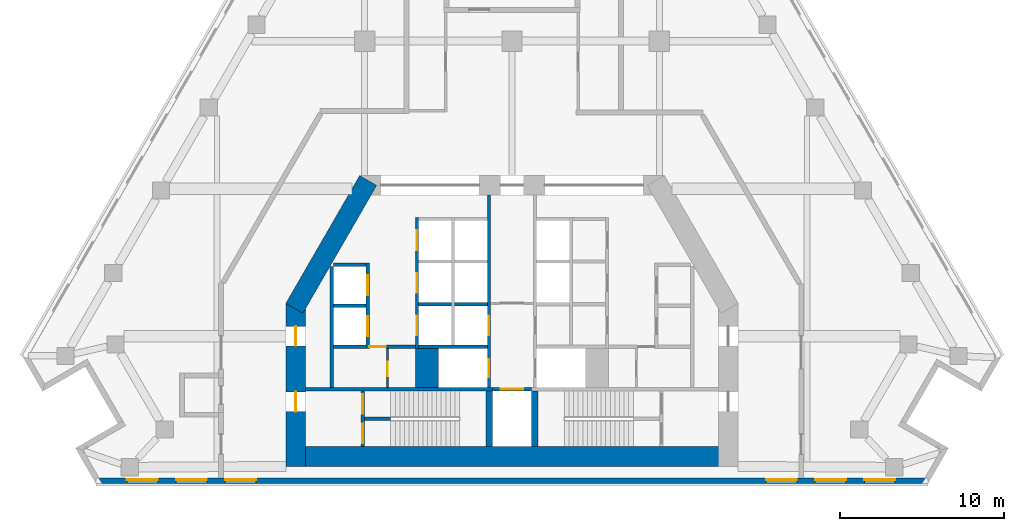
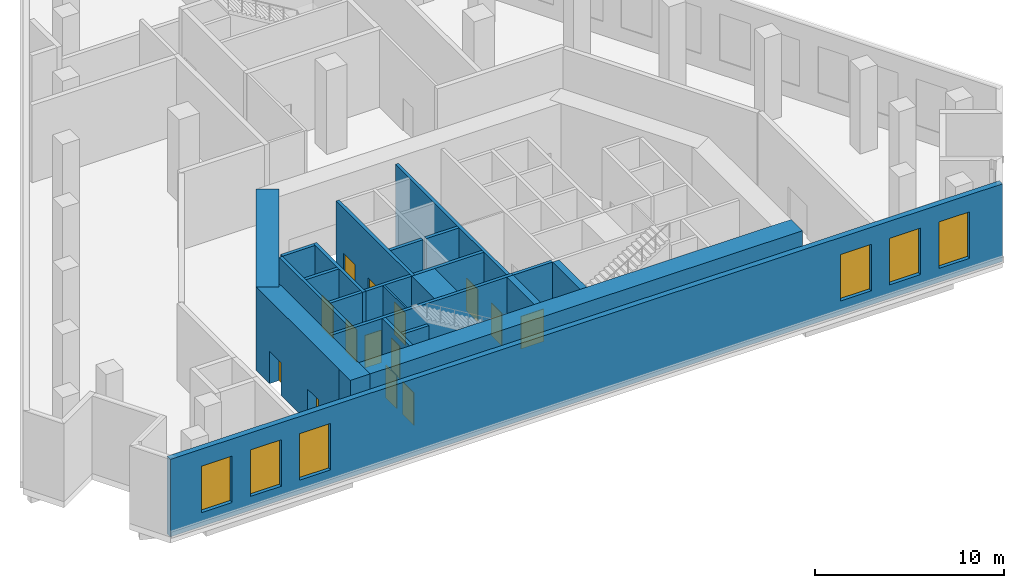
# One storey, part 4 of 10: 23 walls, 14 doors, 6 windows, 20 openings.
"""IFC4 building model written with IfcOpenShell, lengths in metres."""

from ifc_helpers import new_model, si_unit, direction, frame, frame_2d, origin, place, context, subcontext, project, spatial, rectangle, extrude, material, layer, layer_set, type_object, element, fill, save


model = new_model("IFC4")

# Units and contexts
model_context = context("Model", 3, precision=1e-05, world=origin(), true_north=direction((0.0, 1.0)))
body_context = subcontext(model_context, "Body", "Model", "MODEL_VIEW")
ifc_project = project(units=[si_unit("LENGTHUNIT", "METRE"), si_unit("AREAUNIT", "SQUARE_METRE"), si_unit("VOLUMEUNIT", "CUBIC_METRE"), si_unit("PLANEANGLEUNIT", "RADIAN"), si_unit("MASSUNIT", "GRAM", prefix="KILO")], contexts=[model_context])

# Site, building, storey
site_placement = place(None, origin())
site = spatial("IfcSite", under=ifc_project, at=site_placement, CompositionType="ELEMENT")
building_placement = place(site_placement, origin())
building = spatial("IfcBuilding", under=site, at=building_placement, Name="Fogline Exchange Tower", CompositionType="ELEMENT")
storey_placement = place(building_placement, frame((0.0, 0.0, 132.10009765625)))
storey = spatial("IfcBuildingStorey", under=building, at=storey_placement, Name="L29", CompositionType="ELEMENT", Elevation=132.10009765625)

# Wall, opening, door
ifc_material_1 = material(Name="Blockwork partition", Category="masonry")
ifc_layer_1 = layer(ifc_material_1, 0.10009765625)
ifc_layer_set_1 = layer_set([ifc_layer_1], Name="CW10")
wall_type_1 = type_object("IfcWallType", Name="CW10", PredefinedType="PARTITIONING", material=ifc_layer_set_1)
wall_1_placement = place(storey_placement, frame((-7.60009765625, 5.85009765625, 0.0), z_axis=(0.0, 0.0, 1.0), x_axis=(0.0, 1.0, 0.0)))
wall_1 = element("IfcWall", 1, at=wall_1_placement, inside=storey, type_object=wall_type_1, Name="WC partition", PredefinedType="PARTITIONING", context=body_context, shape_type="SweptSolid", body=[
    extrude(rectangle(XDim=2.39990234375, YDim=0.10009765625, at=frame_2d((1.199951171875, 0.0))), origin(), (0.0, 0.0, 1.0), 5.0),
])
opening_1_placement = place(wall_1_placement, frame((0.699951171875, 0.0, 0.0)))
opening_1 = element("IfcOpeningElement", 2, at=opening_1_placement, cuts=wall_1, Name="Opening L29-C008", PredefinedType="OPENING", context=body_context, shape_type="SweptSolid", body=[
    extrude(rectangle(XDim=0.89990234375, YDim=2.10009765625, at=frame_2d((0.449951171875, 1.050048828125))), frame((0.0, 0.06005859375, 0.0), z_axis=(0.0, -1.0, 0.0), x_axis=(1.0, 0.0, 0.0)), (0.0, 0.0, 1.0), 0.1201171875),
])
ifc_material_2 = material(Name="Steel and timber fire door", Category="steel")
door_type_1 = type_object("IfcDoorType", Name="D-CS1", OperationType="SINGLE_SWING_RIGHT", PredefinedType="DOOR", material=ifc_material_2)
door_1_placement = place(opening_1_placement, frame((0.89990234375, 0.0, 0.0), z_axis=(0.0, 0.0, 1.0), x_axis=(-1.0, 0.0, 0.0)))
door_1 = element("IfcDoor", 3, at=door_1_placement, inside=storey, type_object=door_type_1, Name="Door to Plumbing Plant Room", OperationType="SINGLE_SWING_RIGHT", OverallHeight=2.10009765625, OverallWidth=0.89990234375, PredefinedType="DOOR", context=body_context, shape_type="SweptSolid", body=[
    extrude(rectangle(XDim=0.89990234375, YDim=2.10009765625, at=frame_2d((0.449951171875, 1.050048828125))), frame((0.0, 0.02490234375, 0.0), z_axis=(0.0, -1.0, 0.0), x_axis=(1.0, 0.0, 0.0)), (0.0, 0.0, 1.0), 0.050048828125),
])
fill(opening_1, door_1)

# Walls
ifc_material_3 = material(Name="Concrete C60", Category="concrete")
ifc_layer_2 = layer(ifc_material_3, 1.39990234375)
ifc_layer_set_2 = layer_set([ifc_layer_2], Name="CW140")
wall_type_2 = type_object("IfcWallType", Name="CW140", PredefinedType="SOLIDWALL", material=ifc_layer_set_2)
wall_2_placement = place(storey_placement, frame((-5.199951171875, 5.85009765625, -0.400146484375), z_axis=(0.0, 0.0, 1.0), x_axis=(0.0, 1.0, 0.0)))
element("IfcWall", 4, at=wall_2_placement, inside=storey, type_object=wall_type_2, Name="Lift shaft block wall", PredefinedType="SOLIDWALL", context=body_context, shape_type="SweptSolid", body=[
    extrude(rectangle(XDim=2.39990234375, YDim=1.39990234375, at=frame_2d((1.199951171875, 0.0))), origin(), (0.0, 0.0, 1.0), 5.400146484375),
])
ifc_material_4 = material(Name="Concrete C40", Category="concrete")
ifc_layer_3 = layer(ifc_material_4, 0.199951171875)
ifc_layer_set_3 = layer_set([ifc_layer_3], Name="CW20")
wall_type_3 = type_object("IfcWallType", Name="CW20", PredefinedType="SOLIDWALL", material=ifc_layer_set_3)
wall_3_placement = place(storey_placement, frame((-11.0, 5.85009765625, 0.0), z_axis=(0.0, 0.0, 1.0), x_axis=(0.0, 1.0, 0.0)))
element("IfcWall", 5, at=wall_3_placement, inside=storey, type_object=wall_type_3, Name="Service room wall", PredefinedType="SOLIDWALL", context=body_context, shape_type="SweptSolid", body=[
    extrude(rectangle(XDim=7.39990234375, YDim=0.199951171875, at=frame_2d((3.699951171875, 0.0))), origin(), (0.0, 0.0, 1.0), 5.0),
])

# Wall, opening, door
wall_4_placement = place(storey_placement, frame((-8.699951171875, 8.35009765625, 0.0), z_axis=(0.0, 0.0, 1.0), x_axis=(1.0, 0.0, 0.0)))
wall_4 = element("IfcWall", 6, at=wall_4_placement, inside=storey, type_object=wall_type_3, Name="WC wall", PredefinedType="SOLIDWALL", context=body_context, shape_type="SweptSolid", body=[
    extrude(rectangle(XDim=2.800048828125, YDim=0.199951171875, at=frame_2d((1.39990234375, 0.0))), origin(), (0.0, 0.0, 1.0), 5.0),
])
opening_2_placement = place(wall_4_placement, origin())
opening_2 = element("IfcOpeningElement", 7, at=opening_2_placement, cuts=wall_4, Name="Opening L29-C007", PredefinedType="OPENING", context=body_context, shape_type="SweptSolid", body=[
    extrude(rectangle(XDim=1.0, YDim=2.10009765625, at=frame_2d((0.5, 1.050048828125))), frame((0.0, 0.10986328125, 0.0), z_axis=(0.0, -1.0, 0.0), x_axis=(1.0, 0.0, 0.0)), (0.0, 0.0, 1.0), 0.219970703125),
])
door_type_2 = type_object("IfcDoorType", Name="D-WC1", OperationType="SINGLE_SWING_LEFT", PredefinedType="DOOR", material=ifc_material_2)
door_2_placement = place(opening_2_placement, frame((1.0, 0.0, 0.0), z_axis=(0.0, 0.0, 1.0), x_axis=(-1.0, 0.0, 0.0)))
door_2 = element("IfcDoor", 8, at=door_2_placement, inside=storey, type_object=door_type_2, Name="Door to Men's WC", OperationType="SINGLE_SWING_LEFT", OverallHeight=2.10009765625, OverallWidth=1.0, PredefinedType="DOOR", context=body_context, shape_type="SweptSolid", body=[
    extrude(rectangle(XDim=1.0, YDim=2.10009765625, at=frame_2d((0.5, 1.050048828125))), frame((0.0, 0.02490234375, 0.0), z_axis=(0.0, -1.0, 0.0), x_axis=(1.0, 0.0, 0.0)), (0.0, 0.0, 1.0), 0.050048828125),
])
fill(opening_2, door_2)

# Walls
ifc_layer_4 = layer(ifc_material_4, 0.199951171875)
ifc_layer_set_4 = layer_set([ifc_layer_4], Name="CW20B")
wall_type_4 = type_object("IfcWallType", Name="CW20B", PredefinedType="SOLIDWALL", material=ifc_layer_set_4)
wall_5_placement = place(storey_placement, frame((-9.0, 3.949951171875, 0.0), z_axis=(0.0, 0.0, 1.0), x_axis=(1.0, 0.0, 0.0)))
element("IfcWall", 9, at=wall_5_placement, inside=storey, type_object=wall_type_4, Name="Stair separation wall", PredefinedType="SOLIDWALL", context=body_context, shape_type="SweptSolid", body=[
    extrude(rectangle(XDim=1.60009765625, YDim=0.199951171875, at=frame_2d((0.800048828125, 0.0))), origin(), (0.0, 0.0, 1.0), 5.0),
])
ifc_layer_5 = layer(ifc_material_4, 0.199951171875)
ifc_layer_set_5 = layer_set([ifc_layer_5], Name="CW20R")
wall_type_5 = type_object("IfcWallType", Name="CW20R", PredefinedType="SOLIDWALL", material=ifc_layer_set_5)
wall_6_placement = place(storey_placement, frame((-12.60009765625, 5.75, -0.400146484375), z_axis=(0.0, 0.0, 1.0), x_axis=(1.0, 0.0, 0.0)))
element("IfcWall", 10, at=wall_6_placement, inside=storey, type_object=wall_type_5, Name="Stair enclosure wall", PredefinedType="SOLIDWALL", context=body_context, shape_type="SweptSolid", body=[
    extrude(rectangle(XDim=11.400146484375, YDim=0.199951171875, at=frame_2d((5.7001953125, 0.0))), origin(), (0.0, 0.0, 1.0), 5.400146484375),
])

# Wall, opening, door
wall_7_placement = place(storey_placement, frame((-1.199951171875, 5.75, -0.400146484375), z_axis=(0.0, 0.0, 1.0), x_axis=(1.0, 0.0, 0.0)))
wall_7 = element("IfcWall", 11, at=wall_7_placement, inside=storey, type_object=wall_type_5, Name="Stair enclosure wall", PredefinedType="SOLIDWALL", context=body_context, shape_type="SweptSolid", body=[
    extrude(rectangle(XDim=2.39990234375, YDim=0.199951171875, at=frame_2d((1.199951171875, 0.0))), origin(), (0.0, 0.0, 1.0), 5.400146484375),
])
opening_3_placement = place(wall_7_placement, frame((0.5, 0.0, 0.39990234375)))
opening_3 = element("IfcOpeningElement", 12, at=opening_3_placement, cuts=wall_7, Name="Opening L29-LD09", PredefinedType="OPENING", context=body_context, shape_type="SweptSolid", body=[
    extrude(rectangle(XDim=1.39990234375, YDim=2.10009765625, at=frame_2d((0.699951171875, 1.050048828125))), frame((0.0, 0.10986328125, 0.0), z_axis=(0.0, -1.0, 0.0), x_axis=(1.0, 0.0, 0.0)), (0.0, 0.0, 1.0), 0.219970703125),
])
door_type_3 = type_object("IfcDoorType", Name="LD3", OperationType="SLIDING_TO_LEFT", PredefinedType="DOOR", material=ifc_material_2)
door_3_placement = place(opening_3_placement, origin())
door_3 = element("IfcDoor", 13, at=door_3_placement, inside=storey, type_object=door_type_3, Name="Landing door GL1", OperationType="SLIDING_TO_LEFT", OverallHeight=2.10009765625, OverallWidth=1.39990234375, PredefinedType="DOOR", context=body_context, shape_type="SweptSolid", body=[
    extrude(rectangle(XDim=1.39990234375, YDim=2.10009765625, at=frame_2d((0.699951171875, 1.050048828125))), frame((0.0, 0.02490234375, 0.0), z_axis=(0.0, -1.0, 0.0), x_axis=(1.0, 0.0, 0.0)), (0.0, 0.0, 1.0), 0.050048828125),
])
fill(opening_3, door_3)

# Wall, openings, doors
wall_8_placement = place(storey_placement, frame((-9.10009765625, 2.25, -0.400146484375), z_axis=(0.0, 0.0, 1.0), x_axis=(0.0, 1.0, 0.0)))
wall_8 = element("IfcWall", 14, at=wall_8_placement, inside=storey, type_object=wall_type_5, Name="Stair enclosure wall", PredefinedType="SOLIDWALL", context=body_context, shape_type="SweptSolid", body=[
    extrude(rectangle(XDim=3.39990234375, YDim=0.199951171875, at=frame_2d((1.699951171875, 0.0))), origin(), (0.0, 0.0, 1.0), 5.400146484375),
])
opening_4_placement = place(wall_8_placement, frame((0.199951171875, 0.0, 0.39990234375)))
opening_4 = element("IfcOpeningElement", 15, at=opening_4_placement, cuts=wall_8, Name="Opening L29-C010", PredefinedType="OPENING", context=body_context, shape_type="SweptSolid", body=[
    extrude(rectangle(XDim=1.199951171875, YDim=2.10009765625, at=frame_2d((0.60009765625, 1.050048828125))), frame((0.0, 0.10986328125, 0.0), z_axis=(0.0, -1.0, 0.0), x_axis=(1.0, 0.0, 0.0)), (0.0, 0.0, 1.0), 0.219970703125),
])
opening_5_placement = place(wall_8_placement, frame((2.0, 0.0, 0.39990234375)))
opening_5 = element("IfcOpeningElement", 16, at=opening_5_placement, cuts=wall_8, Name="Opening L29-C021", PredefinedType="OPENING", context=body_context, shape_type="SweptSolid", body=[
    extrude(rectangle(XDim=1.199951171875, YDim=2.10009765625, at=frame_2d((0.60009765625, 1.050048828125))), frame((0.0, 0.10986328125, 0.0), z_axis=(0.0, -1.0, 0.0), x_axis=(1.0, 0.0, 0.0)), (0.0, 0.0, 1.0), 0.219970703125),
])
door_type_4 = type_object("IfcDoorType", Name="D-ST1", OperationType="SINGLE_SWING_LEFT", PredefinedType="DOOR", material=ifc_material_2)
door_4_placement = place(opening_4_placement, frame((1.199951171875, 0.0, 0.0), z_axis=(0.0, 0.0, 1.0), x_axis=(-1.0, 0.0, 0.0)))
door_4 = element("IfcDoor", 17, at=door_4_placement, inside=storey, type_object=door_type_4, Name="Stair door ST1", OperationType="SINGLE_SWING_RIGHT", OverallHeight=2.10009765625, OverallWidth=1.199951171875, PredefinedType="DOOR", context=body_context, shape_type="SweptSolid", body=[
    extrude(rectangle(XDim=1.199951171875, YDim=2.10009765625, at=frame_2d((0.60009765625, 1.050048828125))), frame((0.0, 0.02490234375, 0.0), z_axis=(0.0, -1.0, 0.0), x_axis=(1.0, 0.0, 0.0)), (0.0, 0.0, 1.0), 0.050048828125),
])
fill(opening_4, door_4)
door_5_placement = place(opening_5_placement, origin())
door_5 = element("IfcDoor", 18, at=door_5_placement, inside=storey, type_object=door_type_4, Name="Stair arrival door ST1", OperationType="SINGLE_SWING_RIGHT", OverallHeight=2.10009765625, OverallWidth=1.199951171875, PredefinedType="DOOR", context=body_context, shape_type="SweptSolid", body=[
    extrude(rectangle(XDim=1.199951171875, YDim=2.10009765625, at=frame_2d((0.60009765625, 1.050048828125))), frame((0.0, 0.02490234375, 0.0), z_axis=(0.0, -1.0, 0.0), x_axis=(1.0, 0.0, 0.0)), (0.0, 0.0, 1.0), 0.050048828125),
])
fill(opening_5, door_5)

ifc_layer_6 = layer(ifc_material_4, 0.199951171875)
ifc_layer_set_6 = layer_set([ifc_layer_6], Name="CW20S")
wall_type_6 = type_object("IfcWallType", Name="CW20S", PredefinedType="SOLIDWALL", material=ifc_layer_set_6)
wall_9_placement = place(storey_placement, frame((-8.800048828125, 8.25, -0.400146484375), z_axis=(0.0, 0.0, 1.0), x_axis=(0.0, 1.0, 0.0)))
wall_9 = element("IfcWall", 19, at=wall_9_placement, inside=storey, type_object=wall_type_6, Name="Lift shaft wall", PredefinedType="SOLIDWALL", context=body_context, shape_type="SweptSolid", body=[
    extrude(rectangle(XDim=5.199951171875, YDim=0.199951171875, at=frame_2d((2.60009765625, 0.0))), origin(), (0.0, 0.0, 1.0), 5.400146484375),
])
opening_6_placement = place(wall_9_placement, frame((0.75, 0.0, 0.39990234375)))
opening_6 = element("IfcOpeningElement", 20, at=opening_6_placement, cuts=wall_9, Name="Opening L29-LD01", PredefinedType="OPENING", context=body_context, shape_type="SweptSolid", body=[
    extrude(rectangle(XDim=1.199951171875, YDim=2.10009765625, at=frame_2d((0.60009765625, 1.050048828125))), frame((0.0, 0.10986328125, 0.0), z_axis=(0.0, -1.0, 0.0), x_axis=(1.0, 0.0, 0.0)), (0.0, 0.0, 1.0), 0.219970703125),
])
opening_7_placement = place(wall_9_placement, frame((3.25, 0.0, 0.39990234375)))
opening_7 = element("IfcOpeningElement", 21, at=opening_7_placement, cuts=wall_9, Name="Opening L29-LD02", PredefinedType="OPENING", context=body_context, shape_type="SweptSolid", body=[
    extrude(rectangle(XDim=1.199951171875, YDim=2.10009765625, at=frame_2d((0.60009765625, 1.050048828125))), frame((0.0, 0.10986328125, 0.0), z_axis=(0.0, -1.0, 0.0), x_axis=(1.0, 0.0, 0.0)), (0.0, 0.0, 1.0), 0.219970703125),
])
door_type_5 = type_object("IfcDoorType", Name="LD1", OperationType="SLIDING_TO_LEFT", PredefinedType="DOOR", material=ifc_material_2)
door_6_placement = place(opening_6_placement, origin())
door_6 = element("IfcDoor", 22, at=door_6_placement, inside=storey, type_object=door_type_5, Name="Landing door LR1", OperationType="SLIDING_TO_LEFT", OverallHeight=2.10009765625, OverallWidth=1.199951171875, PredefinedType="DOOR", context=body_context, shape_type="SweptSolid", body=[
    extrude(rectangle(XDim=1.199951171875, YDim=2.10009765625, at=frame_2d((0.60009765625, 1.050048828125))), frame((0.0, 0.02490234375, 0.0), z_axis=(0.0, -1.0, 0.0), x_axis=(1.0, 0.0, 0.0)), (0.0, 0.0, 1.0), 0.050048828125),
])
fill(opening_6, door_6)
door_7_placement = place(opening_7_placement, origin())
door_7 = element("IfcDoor", 23, at=door_7_placement, inside=storey, type_object=door_type_5, Name="Landing door LR2", OperationType="SLIDING_TO_LEFT", OverallHeight=2.10009765625, OverallWidth=1.199951171875, PredefinedType="DOOR", context=body_context, shape_type="SweptSolid", body=[
    extrude(rectangle(XDim=1.199951171875, YDim=2.10009765625, at=frame_2d((0.60009765625, 1.050048828125))), frame((0.0, 0.02490234375, 0.0), z_axis=(0.0, -1.0, 0.0), x_axis=(1.0, 0.0, 0.0)), (0.0, 0.0, 1.0), 0.050048828125),
])
fill(opening_7, door_7)

wall_10_placement = place(storey_placement, frame((-5.800048828125, 8.25, -0.400146484375), z_axis=(0.0, 0.0, 1.0), x_axis=(0.0, 1.0, 0.0)))
wall_10 = element("IfcWall", 24, at=wall_10_placement, inside=storey, type_object=wall_type_6, Name="Lift shaft wall", PredefinedType="SOLIDWALL", context=body_context, shape_type="SweptSolid", body=[
    extrude(rectangle(XDim=8.0, YDim=0.199951171875, at=frame_2d((4.0, 0.0))), origin(), (0.0, 0.0, 1.0), 5.400146484375),
])
opening_8_placement = place(wall_10_placement, frame((0.800048828125, 0.0, 0.39990234375)))
opening_8 = element("IfcOpeningElement", 25, at=opening_8_placement, cuts=wall_10, Name="Opening L29-LD03", PredefinedType="OPENING", context=body_context, shape_type="SweptSolid", body=[
    extrude(rectangle(XDim=1.199951171875, YDim=2.10009765625, at=frame_2d((0.60009765625, 1.050048828125))), frame((0.0, 0.10986328125, 0.0), z_axis=(0.0, -1.0, 0.0), x_axis=(1.0, 0.0, 0.0)), (0.0, 0.0, 1.0), 0.219970703125),
])
opening_9_placement = place(wall_10_placement, frame((3.39990234375, 0.0, 0.39990234375)))
opening_9 = element("IfcOpeningElement", 26, at=opening_9_placement, cuts=wall_10, Name="Opening L29-LD04", PredefinedType="OPENING", context=body_context, shape_type="SweptSolid", body=[
    extrude(rectangle(XDim=1.199951171875, YDim=2.10009765625, at=frame_2d((0.60009765625, 1.050048828125))), frame((0.0, 0.10986328125, 0.0), z_axis=(0.0, -1.0, 0.0), x_axis=(1.0, 0.0, 0.0)), (0.0, 0.0, 1.0), 0.219970703125),
])
opening_10_placement = place(wall_10_placement, frame((6.0, 0.0, 0.39990234375)))
opening_10 = element("IfcOpeningElement", 27, at=opening_10_placement, cuts=wall_10, Name="Opening L29-LD05", PredefinedType="OPENING", context=body_context, shape_type="SweptSolid", body=[
    extrude(rectangle(XDim=1.199951171875, YDim=2.10009765625, at=frame_2d((0.60009765625, 1.050048828125))), frame((0.0, 0.10986328125, 0.0), z_axis=(0.0, -1.0, 0.0), x_axis=(1.0, 0.0, 0.0)), (0.0, 0.0, 1.0), 0.219970703125),
])
door_8_placement = place(opening_8_placement, origin())
door_8 = element("IfcDoor", 28, at=door_8_placement, inside=storey, type_object=door_type_5, Name="Landing door LR3", OperationType="SLIDING_TO_LEFT", OverallHeight=2.10009765625, OverallWidth=1.199951171875, PredefinedType="DOOR", context=body_context, shape_type="SweptSolid", body=[
    extrude(rectangle(XDim=1.199951171875, YDim=2.10009765625, at=frame_2d((0.60009765625, 1.050048828125))), frame((0.0, 0.02490234375, 0.0), z_axis=(0.0, -1.0, 0.0), x_axis=(1.0, 0.0, 0.0)), (0.0, 0.0, 1.0), 0.050048828125),
])
fill(opening_8, door_8)
door_9_placement = place(opening_9_placement, origin())
door_9 = element("IfcDoor", 29, at=door_9_placement, inside=storey, type_object=door_type_5, Name="Landing door LR4", OperationType="SLIDING_TO_LEFT", OverallHeight=2.10009765625, OverallWidth=1.199951171875, PredefinedType="DOOR", context=body_context, shape_type="SweptSolid", body=[
    extrude(rectangle(XDim=1.199951171875, YDim=2.10009765625, at=frame_2d((0.60009765625, 1.050048828125))), frame((0.0, 0.02490234375, 0.0), z_axis=(0.0, -1.0, 0.0), x_axis=(1.0, 0.0, 0.0)), (0.0, 0.0, 1.0), 0.050048828125),
])
fill(opening_9, door_9)
door_10_placement = place(opening_10_placement, origin())
door_10 = element("IfcDoor", 30, at=door_10_placement, inside=storey, type_object=door_type_5, Name="Landing door LR5", OperationType="SLIDING_TO_LEFT", OverallHeight=2.10009765625, OverallWidth=1.199951171875, PredefinedType="DOOR", context=body_context, shape_type="SweptSolid", body=[
    extrude(rectangle(XDim=1.199951171875, YDim=2.10009765625, at=frame_2d((0.60009765625, 1.050048828125))), frame((0.0, 0.02490234375, 0.0), z_axis=(0.0, -1.0, 0.0), x_axis=(1.0, 0.0, 0.0)), (0.0, 0.0, 1.0), 0.050048828125),
])
fill(opening_10, door_10)

wall_11_placement = place(storey_placement, frame((-1.39990234375, 5.85009765625, -0.400146484375), z_axis=(0.0, 0.0, 1.0), x_axis=(0.0, 1.0, 0.0)))
wall_11 = element("IfcWall", 31, at=wall_11_placement, inside=storey, type_object=wall_type_6, Name="Lift lobby wall", PredefinedType="SOLIDWALL", context=body_context, shape_type="SweptSolid", body=[
    extrude(rectangle(XDim=11.75, YDim=0.199951171875, at=frame_2d((5.875, 0.0))), origin(), (0.0, 0.0, 1.0), 5.400146484375),
])
opening_11_placement = place(wall_11_placement, frame((3.199951171875, 0.0, 0.39990234375)))
opening_11 = element("IfcOpeningElement", 32, at=opening_11_placement, cuts=wall_11, Name="Opening L29-LD06", PredefinedType="OPENING", context=body_context, shape_type="SweptSolid", body=[
    extrude(rectangle(XDim=1.199951171875, YDim=2.10009765625, at=frame_2d((0.60009765625, 1.050048828125))), frame((0.0, 0.10986328125, 0.0), z_axis=(0.0, -1.0, 0.0), x_axis=(1.0, 0.0, 0.0)), (0.0, 0.0, 1.0), 0.219970703125),
])
opening_12_placement = place(wall_11_placement, frame((0.64990234375, 0.0, 0.39990234375)))
opening_12 = element("IfcOpeningElement", 33, at=opening_12_placement, cuts=wall_11, Name="Opening L29-LD07", PredefinedType="OPENING", context=body_context, shape_type="SweptSolid", body=[
    extrude(rectangle(XDim=1.10009765625, YDim=2.10009765625, at=frame_2d((0.550048828125, 1.050048828125))), frame((0.0, 0.10986328125, 0.0), z_axis=(0.0, -1.0, 0.0), x_axis=(1.0, 0.0, 0.0)), (0.0, 0.0, 1.0), 0.219970703125),
])
door_11_placement = place(opening_11_placement, origin())
door_11 = element("IfcDoor", 34, at=door_11_placement, inside=storey, type_object=door_type_5, Name="Landing door LR6", OperationType="SLIDING_TO_LEFT", OverallHeight=2.10009765625, OverallWidth=1.199951171875, PredefinedType="DOOR", context=body_context, shape_type="SweptSolid", body=[
    extrude(rectangle(XDim=1.199951171875, YDim=2.10009765625, at=frame_2d((0.60009765625, 1.050048828125))), frame((0.0, 0.02490234375, 0.0), z_axis=(0.0, -1.0, 0.0), x_axis=(1.0, 0.0, 0.0)), (0.0, 0.0, 1.0), 0.050048828125),
])
fill(opening_11, door_11)
door_type_6 = type_object("IfcDoorType", Name="LD2", OperationType="SLIDING_TO_RIGHT", PredefinedType="DOOR", material=ifc_material_2)
door_12_placement = place(opening_12_placement, origin())
door_12 = element("IfcDoor", 35, at=door_12_placement, inside=storey, type_object=door_type_6, Name="Landing door FF1", OperationType="SLIDING_TO_RIGHT", OverallHeight=2.10009765625, OverallWidth=1.10009765625, PredefinedType="DOOR", context=body_context, shape_type="SweptSolid", body=[
    extrude(rectangle(XDim=1.10009765625, YDim=2.10009765625, at=frame_2d((0.550048828125, 1.050048828125))), frame((0.0, 0.02490234375, 0.0), z_axis=(0.0, -1.0, 0.0), x_axis=(1.0, 0.0, 0.0)), (0.0, 0.0, 1.0), 0.050048828125),
])
fill(opening_12, door_12)

# Walls
wall_12_placement = place(storey_placement, frame((-10.89990234375, 8.35009765625, -0.400146484375), z_axis=(0.0, 0.0, 1.0), x_axis=(1.0, 0.0, 0.0)))
element("IfcWall", 36, at=wall_12_placement, inside=storey, type_object=wall_type_6, Name="Lift shaft wall", PredefinedType="SOLIDWALL", context=body_context, shape_type="SweptSolid", body=[
    extrude(rectangle(XDim=2.0, YDim=0.199951171875, at=frame_2d((1.0, 0.0))), origin(), (0.0, 0.0, 1.0), 5.400146484375),
])
wall_13_placement = place(storey_placement, frame((-5.699951171875, 8.35009765625, -0.400146484375), z_axis=(0.0, 0.0, 1.0), x_axis=(1.0, 0.0, 0.0)))
element("IfcWall", 37, at=wall_13_placement, inside=storey, type_object=wall_type_6, Name="Lift shaft wall", PredefinedType="SOLIDWALL", context=body_context, shape_type="SweptSolid", body=[
    extrude(rectangle(XDim=4.199951171875, YDim=0.199951171875, at=frame_2d((2.10009765625, 0.0))), origin(), (0.0, 0.0, 1.0), 5.400146484375),
])
for number, where, z_axis, x_axis, name in (
    (38, (-10.89990234375, 10.85009765625, -0.400146484375), (0.0, 0.0, 1.0), (1.0, 0.0, 0.0), "Lift shaft wall"),
    (39, (-10.89990234375, 13.35009765625, -0.400146484375), (0.0, 0.0, 1.0), (1.0, 0.0, 0.0), "Lift shaft wall"),
    (40, (-5.699951171875, 10.949951171875, -0.400146484375), (0.0, 0.0, 1.0), (1.0, 0.0, 0.0), "Lift shaft wall"),
    (41, (-3.5, 10.949951171875, -0.400146484375), (0.0, 0.0, 1.0), (1.0, 0.0, 0.0), "Lift shaft wall"),
):
    element("IfcWall", number, at=place(storey_placement, frame(where, z_axis=z_axis, x_axis=x_axis)), inside=storey, type_object=wall_type_6, Name=name, PredefinedType="SOLIDWALL", context=body_context, shape_type="SweptSolid", body=[
        extrude(rectangle(XDim=2.0, YDim=0.199951171875, at=frame_2d((1.0, 0.0))), origin(), (0.0, 0.0, 1.0), 5.400146484375),
    ])
ifc_layer_7 = layer(ifc_material_4, 0.39990234375)
ifc_layer_set_7 = layer_set([ifc_layer_7], Name="CW40R")
wall_type_7 = type_object("IfcWallType", Name="CW40R", PredefinedType="SOLIDWALL", material=ifc_layer_set_7)
for number, where, z_axis, x_axis, name in (
    (42, (-1.39990234375, 2.25, -0.400146484375), (0.0, 0.0, 1.0), (0.0, 1.0, 0.0), "Stair and lift shaft wall"),
    (43, (1.39990234375, 2.25, -0.400146484375), (0.0, 0.0, 1.0), (0.0, 1.0, 0.0), "Stair and lift shaft wall"),
):
    element("IfcWall", number, at=place(storey_placement, frame(where, z_axis=z_axis, x_axis=x_axis)), inside=storey, type_object=wall_type_7, Name=name, PredefinedType="SOLIDWALL", context=body_context, shape_type="SweptSolid", body=[
        extrude(rectangle(XDim=3.39990234375, YDim=0.39990234375, at=frame_2d((1.699951171875, 0.0))), origin(), (0.0, 0.0, 1.0), 5.400146484375),
    ])

# Wall, openings, windows
ifc_material_5 = material(Name="Brick masonry", Category="masonry")
ifc_layer_8 = layer(ifc_material_5, 0.340087890625)
ifc_layer_set_8 = layer_set([ifc_layer_8], Name="FW3")
wall_type_8 = type_object("IfcWallType", Name="FW3", PredefinedType="SOLIDWALL", material=ifc_layer_set_8)
wall_14_placement = place(storey_placement, frame((-25.393310546875, 0.169921875, 0.0), z_axis=(0.0, 0.0, 1.0), x_axis=(1.0, 0.0, 0.0)))
wall_14 = element("IfcWall", 44, at=wall_14_placement, inside=storey, type_object=wall_type_8, Name="Brick wall L29 S", PredefinedType="SOLIDWALL", context=body_context, shape_type="SweptSolid", body=[
    extrude(rectangle(XDim=50.78662109375, YDim=0.340087890625, at=frame_2d((25.393310546875, 0.0))), origin(), (0.0, 0.0, 1.0), 5.0),
])
opening_13_placement = place(wall_14_placement, frame((1.893310546875, 0.0, 0.89990234375)))
opening_13 = element("IfcOpeningElement", 45, at=opening_13_placement, cuts=wall_14, Name="Opening W6", PredefinedType="OPENING", context=body_context, shape_type="SweptSolid", body=[
    extrude(rectangle(XDim=1.885009765625, YDim=3.0, at=frame_2d((0.9423828125, 1.5))), frame((0.0, 0.18017578125, 0.0), z_axis=(0.0, -1.0, 0.0), x_axis=(1.0, 0.0, 0.0)), (0.0, 0.0, 1.0), 0.360107421875),
])
opening_14_placement = place(wall_14_placement, frame((4.893310546875, 0.0, 0.89990234375)))
opening_14 = element("IfcOpeningElement", 46, at=opening_14_placement, cuts=wall_14, Name="Opening W6", PredefinedType="OPENING", context=body_context, shape_type="SweptSolid", body=[
    extrude(rectangle(XDim=1.885009765625, YDim=3.0, at=frame_2d((0.9423828125, 1.5))), frame((0.0, 0.18017578125, 0.0), z_axis=(0.0, -1.0, 0.0), x_axis=(1.0, 0.0, 0.0)), (0.0, 0.0, 1.0), 0.360107421875),
])
opening_15_placement = place(wall_14_placement, frame((7.893310546875, 0.0, 0.89990234375)))
opening_15 = element("IfcOpeningElement", 47, at=opening_15_placement, cuts=wall_14, Name="Opening W6", PredefinedType="OPENING", context=body_context, shape_type="SweptSolid", body=[
    extrude(rectangle(XDim=1.885009765625, YDim=3.0, at=frame_2d((0.9423828125, 1.5))), frame((0.0, 0.18017578125, 0.0), z_axis=(0.0, -1.0, 0.0), x_axis=(1.0, 0.0, 0.0)), (0.0, 0.0, 1.0), 0.360107421875),
])
opening_16_placement = place(wall_14_placement, frame((40.893310546875, 0.0, 0.89990234375)))
opening_16 = element("IfcOpeningElement", 48, at=opening_16_placement, cuts=wall_14, Name="Opening W6", PredefinedType="OPENING", context=body_context, shape_type="SweptSolid", body=[
    extrude(rectangle(XDim=1.885009765625, YDim=3.0, at=frame_2d((0.9423828125, 1.5))), frame((0.0, 0.18017578125, 0.0), z_axis=(0.0, -1.0, 0.0), x_axis=(1.0, 0.0, 0.0)), (0.0, 0.0, 1.0), 0.360107421875),
])
opening_17_placement = place(wall_14_placement, frame((43.893310546875, 0.0, 0.89990234375)))
opening_17 = element("IfcOpeningElement", 49, at=opening_17_placement, cuts=wall_14, Name="Opening W6", PredefinedType="OPENING", context=body_context, shape_type="SweptSolid", body=[
    extrude(rectangle(XDim=1.885009765625, YDim=3.0, at=frame_2d((0.9423828125, 1.5))), frame((0.0, 0.18017578125, 0.0), z_axis=(0.0, -1.0, 0.0), x_axis=(1.0, 0.0, 0.0)), (0.0, 0.0, 1.0), 0.360107421875),
])
opening_18_placement = place(wall_14_placement, frame((46.893310546875, 0.0, 0.89990234375)))
opening_18 = element("IfcOpeningElement", 50, at=opening_18_placement, cuts=wall_14, Name="Opening W6", PredefinedType="OPENING", context=body_context, shape_type="SweptSolid", body=[
    extrude(rectangle(XDim=1.885009765625, YDim=3.0, at=frame_2d((0.9423828125, 1.5))), frame((0.0, 0.18017578125, 0.0), z_axis=(0.0, -1.0, 0.0), x_axis=(1.0, 0.0, 0.0)), (0.0, 0.0, 1.0), 0.360107421875),
])
ifc_material_6 = material(Name="Aluminium louvre", Category="aluminium")
window_type = type_object("IfcWindowType", Name="W6", PartitioningType="SINGLE_PANEL", PredefinedType="WINDOW", material=ifc_material_6)
window_1_placement = place(opening_13_placement, origin())
window_1 = element("IfcWindow", 51, at=window_1_placement, inside=storey, type_object=window_type, Name="W6 W6", OverallHeight=3.0, OverallWidth=1.885009765625, PartitioningType="SINGLE_PANEL", PredefinedType="WINDOW", context=body_context, shape_type="SweptSolid", body=[
    extrude(rectangle(XDim=1.885009765625, YDim=3.0, at=frame_2d((0.9423828125, 1.5))), frame((0.0, 0.110107421875, 0.0), z_axis=(0.0, -1.0, 0.0), x_axis=(1.0, 0.0, 0.0)), (0.0, 0.0, 1.0), 0.06005859375),
])
fill(opening_13, window_1)
window_2_placement = place(opening_14_placement, origin())
window_2 = element("IfcWindow", 52, at=window_2_placement, inside=storey, type_object=window_type, Name="W6 W6", OverallHeight=3.0, OverallWidth=1.885009765625, PartitioningType="SINGLE_PANEL", PredefinedType="WINDOW", context=body_context, shape_type="SweptSolid", body=[
    extrude(rectangle(XDim=1.885009765625, YDim=3.0, at=frame_2d((0.9423828125, 1.5))), frame((0.0, 0.110107421875, 0.0), z_axis=(0.0, -1.0, 0.0), x_axis=(1.0, 0.0, 0.0)), (0.0, 0.0, 1.0), 0.06005859375),
])
fill(opening_14, window_2)
window_3_placement = place(opening_15_placement, origin())
window_3 = element("IfcWindow", 53, at=window_3_placement, inside=storey, type_object=window_type, Name="W6 W6", OverallHeight=3.0, OverallWidth=1.885009765625, PartitioningType="SINGLE_PANEL", PredefinedType="WINDOW", context=body_context, shape_type="SweptSolid", body=[
    extrude(rectangle(XDim=1.885009765625, YDim=3.0, at=frame_2d((0.9423828125, 1.5))), frame((0.0, 0.110107421875, 0.0), z_axis=(0.0, -1.0, 0.0), x_axis=(1.0, 0.0, 0.0)), (0.0, 0.0, 1.0), 0.06005859375),
])
fill(opening_15, window_3)
window_4_placement = place(opening_16_placement, origin())
window_4 = element("IfcWindow", 54, at=window_4_placement, inside=storey, type_object=window_type, Name="W6 W6", OverallHeight=3.0, OverallWidth=1.885009765625, PartitioningType="SINGLE_PANEL", PredefinedType="WINDOW", context=body_context, shape_type="SweptSolid", body=[
    extrude(rectangle(XDim=1.885009765625, YDim=3.0, at=frame_2d((0.9423828125, 1.5))), frame((0.0, 0.110107421875, 0.0), z_axis=(0.0, -1.0, 0.0), x_axis=(1.0, 0.0, 0.0)), (0.0, 0.0, 1.0), 0.06005859375),
])
fill(opening_16, window_4)
window_5_placement = place(opening_17_placement, origin())
window_5 = element("IfcWindow", 55, at=window_5_placement, inside=storey, type_object=window_type, Name="W6 W6", OverallHeight=3.0, OverallWidth=1.885009765625, PartitioningType="SINGLE_PANEL", PredefinedType="WINDOW", context=body_context, shape_type="SweptSolid", body=[
    extrude(rectangle(XDim=1.885009765625, YDim=3.0, at=frame_2d((0.9423828125, 1.5))), frame((0.0, 0.110107421875, 0.0), z_axis=(0.0, -1.0, 0.0), x_axis=(1.0, 0.0, 0.0)), (0.0, 0.0, 1.0), 0.06005859375),
])
fill(opening_17, window_5)
window_6_placement = place(opening_18_placement, origin())
window_6 = element("IfcWindow", 56, at=window_6_placement, inside=storey, type_object=window_type, Name="W6 W6", OverallHeight=3.0, OverallWidth=1.885009765625, PartitioningType="SINGLE_PANEL", PredefinedType="WINDOW", context=body_context, shape_type="SweptSolid", body=[
    extrude(rectangle(XDim=1.885009765625, YDim=3.0, at=frame_2d((0.9423828125, 1.5))), frame((0.0, 0.110107421875, 0.0), z_axis=(0.0, -1.0, 0.0), x_axis=(1.0, 0.0, 0.0)), (0.0, 0.0, 1.0), 0.06005859375),
])
fill(opening_18, window_6)

# Walls
ifc_layer_9 = layer(ifc_material_3, 1.199951171875)
ifc_layer_set_9 = layer_set([ifc_layer_9], Name="SW02")
wall_type_9 = type_object("IfcWallType", Name="SW02", PredefinedType="SHEAR", material=ifc_layer_set_9)
wall_15_placement = place(storey_placement, frame((-13.800048828125, 1.64990234375, 0.0), z_axis=(0.0, 0.0, 1.0), x_axis=(1.0, 0.0, 0.0)))
element("IfcWall", 57, at=wall_15_placement, inside=storey, type_object=wall_type_9, Name="L29-W901", PredefinedType="SHEAR", context=body_context, shape_type="SweptSolid", body=[
    extrude(rectangle(XDim=27.60009765625, YDim=1.199951171875, at=frame_2d((13.800048828125, 0.0))), origin(), (0.0, 0.0, 1.0), 5.39990234375),
])
wall_16_placement = place(storey_placement, frame((-8.776611328125, 18.5, 0.0), z_axis=(0.0, 0.0, 1.0), x_axis=(-0.499998513025, -0.866026262288, 0.0)))
element("IfcWall", 58, at=wall_16_placement, inside=storey, type_object=wall_type_9, Name="L29-W905", PredefinedType="SHEAR", context=body_context, shape_type="SweptSolid", body=[
    extrude(rectangle(XDim=9.0078125, YDim=1.199951171875, at=frame_2d((4.50390625, 0.0))), origin(), (0.0, 0.0, 1.0), 5.39990234375),
])

# Wall, openings, doors
wall_17_placement = place(storey_placement, frame((-13.199951171875, 10.9990234375, 0.0), z_axis=(0.0, 0.0, 1.0), x_axis=(0.0, -1.0, 0.0)))
wall_17 = element("IfcWall", 59, at=wall_17_placement, inside=storey, type_object=wall_type_9, Name="L29-W906", PredefinedType="SHEAR", context=body_context, shape_type="SweptSolid", body=[
    extrude(rectangle(XDim=9.948974609375, YDim=1.199951171875, at=frame_2d((4.974609375, 0.0))), origin(), (0.0, 0.0, 1.0), 5.39990234375),
])
opening_19_placement = place(wall_17_placement, frame((5.39892578125, 0.0, 0.0)))
opening_19 = element("IfcOpeningElement", 60, at=opening_19_placement, cuts=wall_17, Name="Opening L29-C009", PredefinedType="OPENING", context=body_context, shape_type="SweptSolid", body=[
    extrude(rectangle(XDim=1.199951171875, YDim=2.10009765625, at=frame_2d((0.60009765625, 1.050048828125))), frame((0.0, 0.60986328125, 0.0), z_axis=(0.0, -1.0, 0.0), x_axis=(1.0, 0.0, 0.0)), (0.0, 0.0, 1.0), 1.219970703125),
])
opening_20_placement = place(wall_17_placement, frame((1.39892578125, 0.0, 0.0)))
opening_20 = element("IfcOpeningElement", 61, at=opening_20_placement, cuts=wall_17, Name="Opening L29-C011", PredefinedType="OPENING", context=body_context, shape_type="SweptSolid", body=[
    extrude(rectangle(XDim=1.199951171875, YDim=2.10009765625, at=frame_2d((0.60009765625, 1.050048828125))), frame((0.0, 0.60986328125, 0.0), z_axis=(0.0, -1.0, 0.0), x_axis=(1.0, 0.0, 0.0)), (0.0, 0.0, 1.0), 1.219970703125),
])
door_type_7 = type_object("IfcDoorType", Name="D-FR1", OperationType="SINGLE_SWING_RIGHT", PredefinedType="DOOR", material=ifc_material_2)
door_13_placement = place(opening_19_placement, origin())
door_13 = element("IfcDoor", 62, at=door_13_placement, inside=storey, type_object=door_type_7, Name="Front room door ST1", OperationType="SINGLE_SWING_LEFT", OverallHeight=2.10009765625, OverallWidth=1.199951171875, PredefinedType="DOOR", context=body_context, shape_type="SweptSolid", body=[
    extrude(rectangle(XDim=1.199951171875, YDim=2.10009765625, at=frame_2d((0.60009765625, 1.050048828125))), frame((0.0, 0.02490234375, 0.0), z_axis=(0.0, -1.0, 0.0), x_axis=(1.0, 0.0, 0.0)), (0.0, 0.0, 1.0), 0.050048828125),
])
fill(opening_19, door_13)
door_type_8 = type_object("IfcDoorType", Name="D-SV1", OperationType="SINGLE_SWING_LEFT", PredefinedType="DOOR", material=ifc_material_2)
door_14_placement = place(opening_20_placement, origin())
door_14 = element("IfcDoor", 63, at=door_14_placement, inside=storey, type_object=door_type_8, Name="Service door W", OperationType="SINGLE_SWING_LEFT", OverallHeight=2.10009765625, OverallWidth=1.199951171875, PredefinedType="DOOR", context=body_context, shape_type="SweptSolid", body=[
    extrude(rectangle(XDim=1.199951171875, YDim=2.10009765625, at=frame_2d((0.60009765625, 1.050048828125))), frame((0.0, 0.02490234375, 0.0), z_axis=(0.0, -1.0, 0.0), x_axis=(1.0, 0.0, 0.0)), (0.0, 0.0, 1.0), 0.050048828125),
])
fill(opening_20, door_14)

save(model, "model.ifc")
